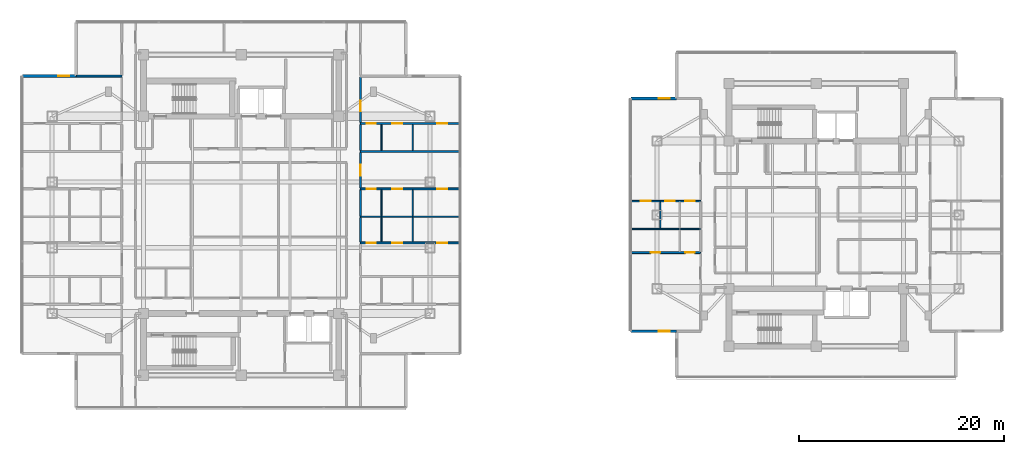
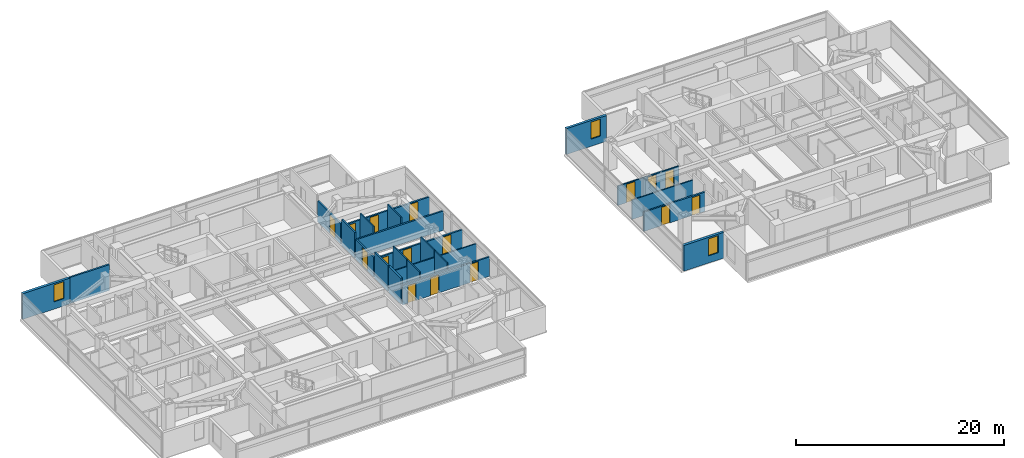
# One storey, part 15 of 25: 24 walls, 16 doors, 3 windows, 19 openings.
"""IFC4 building model written with IfcOpenShell, lengths in metres."""

from ifc_helpers import new_model, si_unit, direction, frame, frame_2d, origin, place, context, subcontext, project, spatial, rectangle, extrude, material, layer, layer_set, type_object, element, fill, save


model = new_model("IFC4")

# Units and contexts
model_context = context("Model", 3, precision=1e-05, world=origin(), true_north=direction((0.0, 1.0)))
body_context = subcontext(model_context, "Body", "Model", "MODEL_VIEW")
ifc_project = project(units=[si_unit("LENGTHUNIT", "METRE"), si_unit("AREAUNIT", "SQUARE_METRE"), si_unit("VOLUMEUNIT", "CUBIC_METRE"), si_unit("PLANEANGLEUNIT", "RADIAN"), si_unit("MASSUNIT", "GRAM", prefix="KILO")], contexts=[model_context])

# Site, building, storey
site_placement = place(None, origin())
site = spatial("IfcSite", under=ifc_project, at=site_placement, CompositionType="ELEMENT")
building_placement = place(site_placement, origin())
building = spatial("IfcBuilding", under=site, at=building_placement, Name="Mirazonda Arch Towers", CompositionType="ELEMENT")
storey_placement = place(building_placement, frame((0.0, 0.0, 173.89990234375)))
storey = spatial("IfcBuildingStorey", under=building, at=storey_placement, Name="L49", CompositionType="ELEMENT", Elevation=173.89990234375)

# Wall, opening, window
ifc_material_1 = material(Name="Precast Concrete C40/50", Category="concrete")
ifc_layer_1 = layer(ifc_material_1, 0.280029296875, Name="WALL-EXT-WALL-280")
ifc_layer_set_1 = layer_set([ifc_layer_1], Name="Precast Concrete C40/50")
wall_type_1 = type_object("IfcWallType", Name="WALL-EXT-WALL-280", PredefinedType="SOLIDWALL", material=ifc_layer_set_1)
wall_1_placement = place(storey_placement, frame((4.43505859375, 41.512939453125, 0.0), z_axis=(0.0, 0.0, 1.0), x_axis=(-1.0, 0.0, 0.0)))
wall_1 = element("IfcWall", 1, at=wall_1_placement, inside=storey, type_object=wall_type_1, Name="L49 T1 Corner Notch Return Wall WL-L49-T1-CNW1", PredefinedType="SOLIDWALL", context=body_context, shape_type="SweptSolid", body=[
    extrude(rectangle(XDim=5.2451171875, YDim=0.280029296875, at=frame_2d((2.62255859375, 0.0))), origin(), (0.0, 0.0, 1.0), 3.030029296875),
])
opening_1_placement = place(wall_1_placement, frame((0.64990234375, 0.0, 0.85009765625)))
opening_1 = element("IfcOpeningElement", 2, at=opening_1_placement, cuts=wall_1, Name="Opening WN-108", PredefinedType="OPENING", context=body_context, shape_type="SweptSolid", body=[
    extrude(rectangle(XDim=1.10009765625, YDim=2.0, at=frame_2d((0.550048828125, 1.0))), frame((0.0, 0.14990234375, 0.0), z_axis=(0.0, -1.0, 0.0), x_axis=(1.0, 0.0, 0.0)), (0.0, 0.0, 1.0), 0.300048828125),
])
ifc_material_2 = material(Name="Insulated Low-E Solar Glass", Category="glass")
window_type = type_object("IfcWindowType", Name="WIN-NOTCH-1100x2000", PartitioningType="SINGLE_PANEL", PredefinedType="WINDOW", material=ifc_material_2)
window_1_placement = place(opening_1_placement, origin())
window_1 = element("IfcWindow", 3, at=window_1_placement, inside=storey, type_object=window_type, Name="L49 Punched Facade Window WN-L49-T1-CNW1", OverallHeight=2.0, OverallWidth=1.10009765625, PartitioningType="SINGLE_PANEL", PredefinedType="WINDOW", context=body_context, shape_type="SweptSolid", body=[
    extrude(rectangle(XDim=1.10009765625, YDim=2.0, at=frame_2d((0.550048828125, 1.0))), frame((0.0, 0.030029296875, 0.0), z_axis=(0.0, -1.0, 0.0), x_axis=(1.0, 0.0, 0.0)), (0.0, 0.0, 1.0), 0.06005859375),
])
fill(opening_1, window_1)

wall_2_placement = place(storey_placement, frame((58.439453125, 16.673828125, 0.0), z_axis=(0.0, 0.0, 1.0), x_axis=(1.0, 0.0, 0.0)))
wall_2 = element("IfcWall", 4, at=wall_2_placement, inside=storey, type_object=wall_type_1, Name="L49 T2 Corner Notch Return Wall WL-L49-T2-CSW2", PredefinedType="SOLIDWALL", context=body_context, shape_type="SweptSolid", body=[
    extrude(rectangle(XDim=4.46533203125, YDim=0.280029296875, at=frame_2d((2.232666015625, 0.0))), origin(), (0.0, 0.0, 1.0), 3.030029296875),
])
opening_2_placement = place(wall_2_placement, frame((2.715087890625, 0.0, 0.85009765625)))
opening_2 = element("IfcOpeningElement", 5, at=opening_2_placement, cuts=wall_2, Name="Opening WN-108", PredefinedType="OPENING", context=body_context, shape_type="SweptSolid", body=[
    extrude(rectangle(XDim=1.10009765625, YDim=2.0, at=frame_2d((0.550048828125, 1.0))), frame((0.0, 0.14990234375, 0.0), z_axis=(0.0, -1.0, 0.0), x_axis=(1.0, 0.0, 0.0)), (0.0, 0.0, 1.0), 0.300048828125),
])
window_2_placement = place(opening_2_placement, origin())
window_2 = element("IfcWindow", 6, at=window_2_placement, inside=storey, type_object=window_type, Name="L49 Punched Facade Window WN-L49-T2-CSW2", OverallHeight=2.0, OverallWidth=1.10009765625, PartitioningType="SINGLE_PANEL", PredefinedType="WINDOW", context=body_context, shape_type="SweptSolid", body=[
    extrude(rectangle(XDim=1.10009765625, YDim=2.0, at=frame_2d((0.550048828125, 1.0))), frame((0.0, 0.030029296875, 0.0), z_axis=(0.0, -1.0, 0.0), x_axis=(1.0, 0.0, 0.0)), (0.0, 0.0, 1.0), 0.06005859375),
])
fill(opening_2, window_2)

wall_3_placement = place(storey_placement, frame((62.90478515625, 39.326171875, 0.0), z_axis=(0.0, 0.0, 1.0), x_axis=(-1.0, 0.0, 0.0)))
wall_3 = element("IfcWall", 7, at=wall_3_placement, inside=storey, type_object=wall_type_1, Name="L49 T2 Corner Notch Return Wall WL-L49-T2-CNW1", PredefinedType="SOLIDWALL", context=body_context, shape_type="SweptSolid", body=[
    extrude(rectangle(XDim=4.46533203125, YDim=0.280029296875, at=frame_2d((2.232666015625, 0.0))), origin(), (0.0, 0.0, 1.0), 3.030029296875),
])
opening_3_placement = place(wall_3_placement, frame((0.64990234375, 0.0, 0.85009765625)))
opening_3 = element("IfcOpeningElement", 8, at=opening_3_placement, cuts=wall_3, Name="Opening WN-108", PredefinedType="OPENING", context=body_context, shape_type="SweptSolid", body=[
    extrude(rectangle(XDim=1.10009765625, YDim=2.0, at=frame_2d((0.550048828125, 1.0))), frame((0.0, 0.14990234375, 0.0), z_axis=(0.0, -1.0, 0.0), x_axis=(1.0, 0.0, 0.0)), (0.0, 0.0, 1.0), 0.300048828125),
])
window_3_placement = place(opening_3_placement, origin())
window_3 = element("IfcWindow", 9, at=window_3_placement, inside=storey, type_object=window_type, Name="L49 Punched Facade Window WN-L49-T2-CNW1", OverallHeight=2.0, OverallWidth=1.10009765625, PartitioningType="SINGLE_PANEL", PredefinedType="WINDOW", context=body_context, shape_type="SweptSolid", body=[
    extrude(rectangle(XDim=1.10009765625, YDim=2.0, at=frame_2d((0.550048828125, 1.0))), frame((0.0, 0.030029296875, 0.0), z_axis=(0.0, -1.0, 0.0), x_axis=(1.0, 0.0, 0.0)), (0.0, 0.0, 1.0), 0.06005859375),
])
fill(opening_3, window_3)

# Wall, openings, doors
ifc_material_3 = material(Name="Fire-Rated Gypsum Stud Partition")
ifc_layer_2 = layer(ifc_material_3, 0.14990234375, Name="WALL-PART-CORR-150")
ifc_layer_set_2 = layer_set([ifc_layer_2], Name="Fire-Rated Gypsum Stud Partition")
wall_type_2 = type_object("IfcWallType", Name="WALL-PART-CORR-150", PredefinedType="PARTITIONING", material=ifc_layer_set_2)
wall_4_placement = place(storey_placement, frame((58.43896484375, 29.35205078125, 0.0), z_axis=(0.0, 0.0, 1.0), x_axis=(1.0, 0.0, 0.0)))
wall_4 = element("IfcWall", 10, at=wall_4_placement, inside=storey, type_object=wall_type_2, Name="L49 Interior Partition 038", PredefinedType="PARTITIONING", context=body_context, shape_type="SweptSolid", body=[
    extrude(rectangle(XDim=6.81103515625, YDim=0.14990234375, at=frame_2d((3.405517578125, 0.0))), origin(), (0.0, 0.0, 1.0), 2.26904296875),
])
opening_4_placement = place(wall_4_placement, frame((0.9765625, 0.0, 0.0)))
opening_4 = element("IfcOpeningElement", 11, at=opening_4_placement, cuts=wall_4, Name="Opening DR-104", PredefinedType="OPENING", context=body_context, shape_type="SweptSolid", body=[
    extrude(rectangle(XDim=0.949951171875, YDim=2.14990234375, at=frame_2d((0.47509765625, 1.074951171875))), frame((0.0, 0.0849609375, 0.0), z_axis=(0.0, -1.0, 0.0), x_axis=(1.0, 0.0, 0.0)), (0.0, 0.0, 1.0), 0.169921875),
])
opening_5_placement = place(wall_4_placement, frame((3.342041015625, 0.0, 0.0)))
opening_5 = element("IfcOpeningElement", 12, at=opening_5_placement, cuts=wall_4, Name="Opening DR-104", PredefinedType="OPENING", context=body_context, shape_type="SweptSolid", body=[
    extrude(rectangle(XDim=0.949951171875, YDim=2.14990234375, at=frame_2d((0.47509765625, 1.074951171875))), frame((0.0, 0.0849609375, 0.0), z_axis=(0.0, -1.0, 0.0), x_axis=(1.0, 0.0, 0.0)), (0.0, 0.0, 1.0), 0.169921875),
])
opening_6_placement = place(wall_4_placement, frame((5.321044921875, 0.0, 0.0)))
opening_6 = element("IfcOpeningElement", 13, at=opening_6_placement, cuts=wall_4, Name="Opening DR-120", PredefinedType="OPENING", context=body_context, shape_type="SweptSolid", body=[
    extrude(rectangle(XDim=0.89990234375, YDim=2.10009765625, at=frame_2d((0.449951171875, 1.050048828125))), frame((0.0, 0.0849609375, 0.0), z_axis=(0.0, -1.0, 0.0), x_axis=(1.0, 0.0, 0.0)), (0.0, 0.0, 1.0), 0.169921875),
])
ifc_material_4 = material(Name="Architectural Brushed Steel S355", Category="steel")
door_type_1 = type_object("IfcDoorType", Name="DOOR-ROOM-950", OperationType="NOTDEFINED", PredefinedType="DOOR", material=ifc_material_4)
door_1_placement = place(opening_4_placement, origin())
door_1 = element("IfcDoor", 14, at=door_1_placement, inside=storey, type_object=door_type_1, Name="L49 Residence 2 Principal Bedroom Door", OperationType="SINGLE_SWING_RIGHT", OverallHeight=2.14990234375, OverallWidth=0.949951171875, PredefinedType="DOOR", context=body_context, shape_type="SweptSolid", body=[
    extrude(rectangle(XDim=0.949951171875, YDim=2.14990234375, at=frame_2d((0.47509765625, 1.074951171875))), frame((0.0, 0.02490234375, 0.0), z_axis=(0.0, -1.0, 0.0), x_axis=(1.0, 0.0, 0.0)), (0.0, 0.0, 1.0), 0.050048828125),
])
fill(opening_4, door_1)
door_2_placement = place(opening_5_placement, origin())
door_2 = element("IfcDoor", 15, at=door_2_placement, inside=storey, type_object=door_type_1, Name="L49 Residence 2 Fitted Kitchen Door", OperationType="SINGLE_SWING_LEFT", OverallHeight=2.14990234375, OverallWidth=0.949951171875, PredefinedType="DOOR", context=body_context, shape_type="SweptSolid", body=[
    extrude(rectangle(XDim=0.949951171875, YDim=2.14990234375, at=frame_2d((0.47509765625, 1.074951171875))), frame((0.0, 0.02490234375, 0.0), z_axis=(0.0, -1.0, 0.0), x_axis=(1.0, 0.0, 0.0)), (0.0, 0.0, 1.0), 0.050048828125),
])
fill(opening_5, door_2)
door_type_2 = type_object("IfcDoorType", Name="DOOR-WC-900", OperationType="NOTDEFINED", PredefinedType="DOOR", material=ifc_material_4)
door_3_placement = place(opening_6_placement, origin())
door_3 = element("IfcDoor", 16, at=door_3_placement, inside=storey, type_object=door_type_2, Name="L49 Residence 2 Bathroom Door", OperationType="SINGLE_SWING_RIGHT", OverallHeight=2.10009765625, OverallWidth=0.89990234375, PredefinedType="DOOR", context=body_context, shape_type="SweptSolid", body=[
    extrude(rectangle(XDim=0.89990234375, YDim=2.10009765625, at=frame_2d((0.449951171875, 1.050048828125))), frame((0.0, 0.02490234375, 0.0), z_axis=(0.0, -1.0, 0.0), x_axis=(1.0, 0.0, 0.0)), (0.0, 0.0, 1.0), 0.050048828125),
])
fill(opening_6, door_3)

ifc_material_5 = material(Name="Fire-Rated Gypsum Twin-Stud Assembly")
ifc_layer_3 = layer(ifc_material_5, 0.179931640625, Name="WALL-PART-DEMISE-180")
ifc_layer_set_3 = layer_set([ifc_layer_3], Name="Fire-Rated Gypsum Twin-Stud Assembly")
wall_type_3 = type_object("IfcWallType", Name="WALL-PART-DEMISE-180", PredefinedType="PARTITIONING", material=ifc_layer_set_3)
wall_5_placement = place(storey_placement, frame((58.43896484375, 24.33203125, 0.0), z_axis=(0.0, 0.0, 1.0), x_axis=(1.0, 0.0, 0.0)))
wall_5 = element("IfcWall", 17, at=wall_5_placement, inside=storey, type_object=wall_type_3, Name="L49 Interior Partition 026", PredefinedType="PARTITIONING", context=body_context, shape_type="SweptSolid", body=[
    extrude(rectangle(XDim=6.81103515625, YDim=0.179931640625, at=frame_2d((3.405517578125, 0.0))), origin(), (0.0, 0.0, 1.0), 2.26904296875),
])
opening_7_placement = place(wall_5_placement, frame((1.930419921875, 0.0, 0.0)))
opening_7 = element("IfcOpeningElement", 18, at=opening_7_placement, cuts=wall_5, Name="Opening DR-104", PredefinedType="OPENING", context=body_context, shape_type="SweptSolid", body=[
    extrude(rectangle(XDim=0.949951171875, YDim=2.14990234375, at=frame_2d((0.47509765625, 1.074951171875))), frame((0.0, 0.099853515625, 0.0), z_axis=(0.0, -1.0, 0.0), x_axis=(1.0, 0.0, 0.0)), (0.0, 0.0, 1.0), 0.199951171875),
])
opening_8_placement = place(wall_5_placement, frame((5.321044921875, 0.0, 0.0)))
opening_8 = element("IfcOpeningElement", 19, at=opening_8_placement, cuts=wall_5, Name="Opening DR-120", PredefinedType="OPENING", context=body_context, shape_type="SweptSolid", body=[
    extrude(rectangle(XDim=0.89990234375, YDim=2.10009765625, at=frame_2d((0.449951171875, 1.050048828125))), frame((0.0, 0.099853515625, 0.0), z_axis=(0.0, -1.0, 0.0), x_axis=(1.0, 0.0, 0.0)), (0.0, 0.0, 1.0), 0.199951171875),
])
door_4_placement = place(opening_7_placement, origin())
door_4 = element("IfcDoor", 20, at=door_4_placement, inside=storey, type_object=door_type_1, Name="L49 Studio 1 Galley Kitchen Door", OperationType="SINGLE_SWING_LEFT", OverallHeight=2.14990234375, OverallWidth=0.949951171875, PredefinedType="DOOR", context=body_context, shape_type="SweptSolid", body=[
    extrude(rectangle(XDim=0.949951171875, YDim=2.14990234375, at=frame_2d((0.47509765625, 1.074951171875))), frame((0.0, 0.02490234375, 0.0), z_axis=(0.0, -1.0, 0.0), x_axis=(1.0, 0.0, 0.0)), (0.0, 0.0, 1.0), 0.050048828125),
])
fill(opening_7, door_4)
door_5_placement = place(opening_8_placement, origin())
door_5 = element("IfcDoor", 21, at=door_5_placement, inside=storey, type_object=door_type_2, Name="L49 Studio 1 Bathroom Door", OperationType="SINGLE_SWING_RIGHT", OverallHeight=2.10009765625, OverallWidth=0.89990234375, PredefinedType="DOOR", context=body_context, shape_type="SweptSolid", body=[
    extrude(rectangle(XDim=0.89990234375, YDim=2.10009765625, at=frame_2d((0.449951171875, 1.050048828125))), frame((0.0, 0.02490234375, 0.0), z_axis=(0.0, -1.0, 0.0), x_axis=(1.0, 0.0, 0.0)), (0.0, 0.0, 1.0), 0.050048828125),
])
fill(opening_8, door_5)

wall_6_placement = place(storey_placement, frame((32.1201171875, 25.27294921875, 0.0), z_axis=(0.0, 0.0, 1.0), x_axis=(1.0, 0.0, 0.0)))
wall_6 = element("IfcWall", 22, at=wall_6_placement, inside=storey, type_object=wall_type_3, Name="L49 Interior Partition 030", PredefinedType="PARTITIONING", context=body_context, shape_type="SweptSolid", body=[
    extrude(rectangle(XDim=9.68994140625, YDim=0.179931640625, at=frame_2d((4.844970703125, 0.0))), origin(), (0.0, 0.0, 1.0), 2.26904296875),
])
opening_9_placement = place(wall_6_placement, frame((7.5, 0.0, 0.0)))
opening_9 = element("IfcOpeningElement", 23, at=opening_9_placement, cuts=wall_6, Name="Opening DR-104", PredefinedType="OPENING", context=body_context, shape_type="SweptSolid", body=[
    extrude(rectangle(XDim=0.949951171875, YDim=2.14990234375, at=frame_2d((0.47509765625, 1.074951171875))), frame((0.0, 0.099853515625, 0.0), z_axis=(0.0, -1.0, 0.0), x_axis=(1.0, 0.0, 0.0)), (0.0, 0.0, 1.0), 0.199951171875),
])
opening_10_placement = place(wall_6_placement, frame((3.094970703125, 0.0, 0.0)))
opening_10 = element("IfcOpeningElement", 24, at=opening_10_placement, cuts=wall_6, Name="Opening DR-104", PredefinedType="OPENING", context=body_context, shape_type="SweptSolid", body=[
    extrude(rectangle(XDim=0.949951171875, YDim=2.14990234375, at=frame_2d((0.47509765625, 1.074951171875))), frame((0.0, 0.099853515625, 0.0), z_axis=(0.0, -1.0, 0.0), x_axis=(1.0, 0.0, 0.0)), (0.0, 0.0, 1.0), 0.199951171875),
])
opening_11_placement = place(wall_6_placement, frame((0.590087890625, 0.0, 0.0)))
opening_11 = element("IfcOpeningElement", 25, at=opening_11_placement, cuts=wall_6, Name="Opening DR-120", PredefinedType="OPENING", context=body_context, shape_type="SweptSolid", body=[
    extrude(rectangle(XDim=0.89990234375, YDim=2.10009765625, at=frame_2d((0.449951171875, 1.050048828125))), frame((0.0, 0.099853515625, 0.0), z_axis=(0.0, -1.0, 0.0), x_axis=(1.0, 0.0, 0.0)), (0.0, 0.0, 1.0), 0.199951171875),
])
door_6_placement = place(opening_9_placement, origin())
door_6 = element("IfcDoor", 26, at=door_6_placement, inside=storey, type_object=door_type_1, Name="L49 Residence 2 Principal Bedroom Door", OperationType="SINGLE_SWING_RIGHT", OverallHeight=2.14990234375, OverallWidth=0.949951171875, PredefinedType="DOOR", context=body_context, shape_type="SweptSolid", body=[
    extrude(rectangle(XDim=0.949951171875, YDim=2.14990234375, at=frame_2d((0.47509765625, 1.074951171875))), frame((0.0, 0.02490234375, 0.0), z_axis=(0.0, -1.0, 0.0), x_axis=(1.0, 0.0, 0.0)), (0.0, 0.0, 1.0), 0.050048828125),
])
fill(opening_9, door_6)
door_7_placement = place(opening_10_placement, origin())
door_7 = element("IfcDoor", 27, at=door_7_placement, inside=storey, type_object=door_type_1, Name="L49 Residence 2 Fitted Kitchen Door", OperationType="SINGLE_SWING_LEFT", OverallHeight=2.14990234375, OverallWidth=0.949951171875, PredefinedType="DOOR", context=body_context, shape_type="SweptSolid", body=[
    extrude(rectangle(XDim=0.949951171875, YDim=2.14990234375, at=frame_2d((0.47509765625, 1.074951171875))), frame((0.0, 0.02490234375, 0.0), z_axis=(0.0, -1.0, 0.0), x_axis=(1.0, 0.0, 0.0)), (0.0, 0.0, 1.0), 0.050048828125),
])
fill(opening_10, door_7)
door_8_placement = place(opening_11_placement, origin())
door_8 = element("IfcDoor", 28, at=door_8_placement, inside=storey, type_object=door_type_2, Name="L49 Residence 2 Bathroom Door", OperationType="SINGLE_SWING_RIGHT", OverallHeight=2.10009765625, OverallWidth=0.89990234375, PredefinedType="DOOR", context=body_context, shape_type="SweptSolid", body=[
    extrude(rectangle(XDim=0.89990234375, YDim=2.10009765625, at=frame_2d((0.449951171875, 1.050048828125))), frame((0.0, 0.02490234375, 0.0), z_axis=(0.0, -1.0, 0.0), x_axis=(1.0, 0.0, 0.0)), (0.0, 0.0, 1.0), 0.050048828125),
])
fill(opening_11, door_8)

wall_7_placement = place(storey_placement, frame((32.1201171875, 30.532958984375, 0.0), z_axis=(0.0, 0.0, 1.0), x_axis=(1.0, 0.0, 0.0)))
wall_7 = element("IfcWall", 29, at=wall_7_placement, inside=storey, type_object=wall_type_3, Name="L49 Interior Partition 041", PredefinedType="PARTITIONING", context=body_context, shape_type="SweptSolid", body=[
    extrude(rectangle(XDim=9.68994140625, YDim=0.179931640625, at=frame_2d((4.844970703125, 0.0))), origin(), (0.0, 0.0, 1.0), 2.26904296875),
])
opening_12_placement = place(wall_7_placement, frame((7.5, 0.0, 0.0)))
opening_12 = element("IfcOpeningElement", 30, at=opening_12_placement, cuts=wall_7, Name="Opening DR-104", PredefinedType="OPENING", context=body_context, shape_type="SweptSolid", body=[
    extrude(rectangle(XDim=0.949951171875, YDim=2.14990234375, at=frame_2d((0.47509765625, 1.074951171875))), frame((0.0, 0.099853515625, 0.0), z_axis=(0.0, -1.0, 0.0), x_axis=(1.0, 0.0, 0.0)), (0.0, 0.0, 1.0), 0.199951171875),
])
opening_13_placement = place(wall_7_placement, frame((3.094970703125, 0.0, 0.0)))
opening_13 = element("IfcOpeningElement", 31, at=opening_13_placement, cuts=wall_7, Name="Opening DR-104", PredefinedType="OPENING", context=body_context, shape_type="SweptSolid", body=[
    extrude(rectangle(XDim=0.949951171875, YDim=2.14990234375, at=frame_2d((0.47509765625, 1.074951171875))), frame((0.0, 0.099853515625, 0.0), z_axis=(0.0, -1.0, 0.0), x_axis=(1.0, 0.0, 0.0)), (0.0, 0.0, 1.0), 0.199951171875),
])
opening_14_placement = place(wall_7_placement, frame((0.590087890625, 0.0, 0.0)))
opening_14 = element("IfcOpeningElement", 32, at=opening_14_placement, cuts=wall_7, Name="Opening DR-120", PredefinedType="OPENING", context=body_context, shape_type="SweptSolid", body=[
    extrude(rectangle(XDim=0.89990234375, YDim=2.10009765625, at=frame_2d((0.449951171875, 1.050048828125))), frame((0.0, 0.099853515625, 0.0), z_axis=(0.0, -1.0, 0.0), x_axis=(1.0, 0.0, 0.0)), (0.0, 0.0, 1.0), 0.199951171875),
])
door_9_placement = place(opening_12_placement, origin())
door_9 = element("IfcDoor", 33, at=door_9_placement, inside=storey, type_object=door_type_1, Name="L49 Residence 3 Principal Bedroom Door", OperationType="SINGLE_SWING_RIGHT", OverallHeight=2.14990234375, OverallWidth=0.949951171875, PredefinedType="DOOR", context=body_context, shape_type="SweptSolid", body=[
    extrude(rectangle(XDim=0.949951171875, YDim=2.14990234375, at=frame_2d((0.47509765625, 1.074951171875))), frame((0.0, 0.02490234375, 0.0), z_axis=(0.0, -1.0, 0.0), x_axis=(1.0, 0.0, 0.0)), (0.0, 0.0, 1.0), 0.050048828125),
])
fill(opening_12, door_9)
door_10_placement = place(opening_13_placement, origin())
door_10 = element("IfcDoor", 34, at=door_10_placement, inside=storey, type_object=door_type_1, Name="L49 Residence 3 Fitted Kitchen Door", OperationType="SINGLE_SWING_LEFT", OverallHeight=2.14990234375, OverallWidth=0.949951171875, PredefinedType="DOOR", context=body_context, shape_type="SweptSolid", body=[
    extrude(rectangle(XDim=0.949951171875, YDim=2.14990234375, at=frame_2d((0.47509765625, 1.074951171875))), frame((0.0, 0.02490234375, 0.0), z_axis=(0.0, -1.0, 0.0), x_axis=(1.0, 0.0, 0.0)), (0.0, 0.0, 1.0), 0.050048828125),
])
fill(opening_13, door_10)
door_11_placement = place(opening_14_placement, origin())
door_11 = element("IfcDoor", 35, at=door_11_placement, inside=storey, type_object=door_type_2, Name="L49 Residence 3 Bathroom Door", OperationType="SINGLE_SWING_RIGHT", OverallHeight=2.10009765625, OverallWidth=0.89990234375, PredefinedType="DOOR", context=body_context, shape_type="SweptSolid", body=[
    extrude(rectangle(XDim=0.89990234375, YDim=2.10009765625, at=frame_2d((0.449951171875, 1.050048828125))), frame((0.0, 0.02490234375, 0.0), z_axis=(0.0, -1.0, 0.0), x_axis=(1.0, 0.0, 0.0)), (0.0, 0.0, 1.0), 0.050048828125),
])
fill(opening_14, door_11)

# Wall
wall_8_placement = place(storey_placement, frame((32.1201171875, 34.179931640625, 0.0), z_axis=(0.0, 0.0, 1.0), x_axis=(1.0, 0.0, 0.0)))
element("IfcWall", 36, at=wall_8_placement, inside=storey, type_object=wall_type_3, Name="L49 Interior Partition 048", PredefinedType="PARTITIONING", context=body_context, shape_type="SweptSolid", body=[
    extrude(rectangle(XDim=9.68994140625, YDim=0.179931640625, at=frame_2d((4.844970703125, 0.0))), origin(), (0.0, 0.0, 1.0), 2.26904296875),
])

# Wall, openings, doors
wall_9_placement = place(storey_placement, frame((32.1201171875, 36.89990234375, 0.0), z_axis=(0.0, 0.0, 1.0), x_axis=(1.0, 0.0, 0.0)))
wall_9 = element("IfcWall", 37, at=wall_9_placement, inside=storey, type_object=wall_type_3, Name="L49 Interior Partition 054", PredefinedType="PARTITIONING", context=body_context, shape_type="SweptSolid", body=[
    extrude(rectangle(XDim=9.68994140625, YDim=0.179931640625, at=frame_2d((4.844970703125, 0.0))), origin(), (0.0, 0.0, 1.0), 2.26904296875),
])
opening_15_placement = place(wall_9_placement, frame((7.5, 0.0, 0.0)))
opening_15 = element("IfcOpeningElement", 38, at=opening_15_placement, cuts=wall_9, Name="Opening DR-104", PredefinedType="OPENING", context=body_context, shape_type="SweptSolid", body=[
    extrude(rectangle(XDim=0.949951171875, YDim=2.14990234375, at=frame_2d((0.47509765625, 1.074951171875))), frame((0.0, 0.099853515625, 0.0), z_axis=(0.0, -1.0, 0.0), x_axis=(1.0, 0.0, 0.0)), (0.0, 0.0, 1.0), 0.199951171875),
])
opening_16_placement = place(wall_9_placement, frame((3.094970703125, 0.0, 0.0)))
opening_16 = element("IfcOpeningElement", 39, at=opening_16_placement, cuts=wall_9, Name="Opening DR-104", PredefinedType="OPENING", context=body_context, shape_type="SweptSolid", body=[
    extrude(rectangle(XDim=0.949951171875, YDim=2.14990234375, at=frame_2d((0.47509765625, 1.074951171875))), frame((0.0, 0.099853515625, 0.0), z_axis=(0.0, -1.0, 0.0), x_axis=(1.0, 0.0, 0.0)), (0.0, 0.0, 1.0), 0.199951171875),
])
opening_17_placement = place(wall_9_placement, frame((0.590087890625, 0.0, 0.0)))
opening_17 = element("IfcOpeningElement", 40, at=opening_17_placement, cuts=wall_9, Name="Opening DR-120", PredefinedType="OPENING", context=body_context, shape_type="SweptSolid", body=[
    extrude(rectangle(XDim=0.89990234375, YDim=2.10009765625, at=frame_2d((0.449951171875, 1.050048828125))), frame((0.0, 0.099853515625, 0.0), z_axis=(0.0, -1.0, 0.0), x_axis=(1.0, 0.0, 0.0)), (0.0, 0.0, 1.0), 0.199951171875),
])
door_12_placement = place(opening_15_placement, origin())
door_12 = element("IfcDoor", 41, at=door_12_placement, inside=storey, type_object=door_type_1, Name="L49 Residence 4 Principal Bedroom Door", OperationType="SINGLE_SWING_RIGHT", OverallHeight=2.14990234375, OverallWidth=0.949951171875, PredefinedType="DOOR", context=body_context, shape_type="SweptSolid", body=[
    extrude(rectangle(XDim=0.949951171875, YDim=2.14990234375, at=frame_2d((0.47509765625, 1.074951171875))), frame((0.0, 0.02490234375, 0.0), z_axis=(0.0, -1.0, 0.0), x_axis=(1.0, 0.0, 0.0)), (0.0, 0.0, 1.0), 0.050048828125),
])
fill(opening_15, door_12)
door_13_placement = place(opening_16_placement, origin())
door_13 = element("IfcDoor", 42, at=door_13_placement, inside=storey, type_object=door_type_1, Name="L49 Residence 4 Fitted Kitchen Door", OperationType="SINGLE_SWING_LEFT", OverallHeight=2.14990234375, OverallWidth=0.949951171875, PredefinedType="DOOR", context=body_context, shape_type="SweptSolid", body=[
    extrude(rectangle(XDim=0.949951171875, YDim=2.14990234375, at=frame_2d((0.47509765625, 1.074951171875))), frame((0.0, 0.02490234375, 0.0), z_axis=(0.0, -1.0, 0.0), x_axis=(1.0, 0.0, 0.0)), (0.0, 0.0, 1.0), 0.050048828125),
])
fill(opening_16, door_13)
door_14_placement = place(opening_17_placement, origin())
door_14 = element("IfcDoor", 43, at=door_14_placement, inside=storey, type_object=door_type_2, Name="L49 Residence 4 Bathroom Door", OperationType="SINGLE_SWING_RIGHT", OverallHeight=2.10009765625, OverallWidth=0.89990234375, PredefinedType="DOOR", context=body_context, shape_type="SweptSolid", body=[
    extrude(rectangle(XDim=0.89990234375, YDim=2.10009765625, at=frame_2d((0.449951171875, 1.050048828125))), frame((0.0, 0.02490234375, 0.0), z_axis=(0.0, -1.0, 0.0), x_axis=(1.0, 0.0, 0.0)), (0.0, 0.0, 1.0), 0.050048828125),
])
fill(opening_17, door_14)

# Walls
wall_10_placement = place(storey_placement, frame((4.455078125, 41.512939453125, 0.0), z_axis=(0.0, 0.0, 1.0), x_axis=(1.0, 0.0, 0.0)))
element("IfcWall", 44, at=wall_10_placement, inside=storey, type_object=wall_type_3, Name="L49 Interior Partition 060", PredefinedType="PARTITIONING", context=body_context, shape_type="SweptSolid", body=[
    extrude(rectangle(XDim=4.4248046875, YDim=0.179931640625, at=frame_2d((2.21240234375, 0.0))), origin(), (0.0, 0.0, 1.0), 3.050048828125),
])
wall_11_placement = place(storey_placement, frame((32.1201171875, 25.373046875, 0.0), z_axis=(0.0, 0.0, 1.0), x_axis=(0.0, 1.0, 0.0)))
element("IfcWall", 45, at=wall_11_placement, inside=storey, type_object=wall_type_3, Name="L49 Interior Partition 121", PredefinedType="PARTITIONING", context=body_context, shape_type="SweptSolid", body=[
    extrude(rectangle(XDim=2.367431640625, YDim=0.179931640625, at=frame_2d((1.18359375, 0.0))), origin(), (0.0, 0.0, 1.0), 3.050048828125),
])
wall_12_placement = place(storey_placement, frame((32.1201171875, 27.885498046875, 0.0), z_axis=(0.0, 0.0, 1.0), x_axis=(0.0, 1.0, 0.0)))
element("IfcWall", 46, at=wall_12_placement, inside=storey, type_object=wall_type_3, Name="L49 Interior Partition 122", PredefinedType="PARTITIONING", context=body_context, shape_type="SweptSolid", body=[
    extrude(rectangle(XDim=2.547607421875, YDim=0.179931640625, at=frame_2d((1.27392578125, 0.0))), origin(), (0.0, 0.0, 1.0), 3.050048828125),
])

# Wall, opening, door
wall_13_placement = place(storey_placement, frame((32.1201171875, 30.633056640625, 0.0), z_axis=(0.0, 0.0, 1.0), x_axis=(0.0, 1.0, 0.0)))
wall_13 = element("IfcWall", 47, at=wall_13_placement, inside=storey, type_object=wall_type_3, Name="L49 Interior Partition 123", PredefinedType="PARTITIONING", context=body_context, shape_type="SweptSolid", body=[
    extrude(rectangle(XDim=3.447021484375, YDim=0.179931640625, at=frame_2d((1.7236328125, 0.0))), origin(), (0.0, 0.0, 1.0), 2.34619140625),
])
opening_18_placement = place(wall_13_placement, frame((1.198486328125, 0.0, 0.0)))
opening_18 = element("IfcOpeningElement", 48, at=opening_18_placement, cuts=wall_13, Name="Opening DR-121", PredefinedType="OPENING", context=body_context, shape_type="SweptSolid", body=[
    extrude(rectangle(XDim=1.050048828125, YDim=2.199951171875, at=frame_2d((0.52490234375, 1.10009765625))), frame((0.0, 0.099853515625, 0.0), z_axis=(0.0, -1.0, 0.0), x_axis=(1.0, 0.0, 0.0)), (0.0, 0.0, 1.0), 0.199951171875),
])
door_type_3 = type_object("IfcDoorType", Name="DOOR-SUITE-FD60-1050", OperationType="NOTDEFINED", PredefinedType="DOOR", material=ifc_material_4)
door_15_placement = place(opening_18_placement, origin())
door_15 = element("IfcDoor", 49, at=door_15_placement, inside=storey, type_object=door_type_3, Name="L49 Residence 3 Living & Dining Salon Door", OperationType="SINGLE_SWING_LEFT", OverallHeight=2.199951171875, OverallWidth=1.050048828125, PredefinedType="DOOR", context=body_context, shape_type="SweptSolid", body=[
    extrude(rectangle(XDim=1.050048828125, YDim=2.199951171875, at=frame_2d((0.52490234375, 1.10009765625))), frame((0.0, 0.02490234375, 0.0), z_axis=(0.0, -1.0, 0.0), x_axis=(1.0, 0.0, 0.0)), (0.0, 0.0, 1.0), 0.050048828125),
])
fill(opening_18, door_15)

# Wall
wall_14_placement = place(storey_placement, frame((32.1201171875, 34.280029296875, 0.0), z_axis=(0.0, 0.0, 1.0), x_axis=(0.0, 1.0, 0.0)))
element("IfcWall", 50, at=wall_14_placement, inside=storey, type_object=wall_type_3, Name="L49 Interior Partition 124", PredefinedType="PARTITIONING", context=body_context, shape_type="SweptSolid", body=[
    extrude(rectangle(XDim=2.52001953125, YDim=0.179931640625, at=frame_2d((1.260009765625, 0.0))), origin(), (0.0, 0.0, 1.0), 3.050048828125),
])

# Wall, opening, door
wall_15_placement = place(storey_placement, frame((32.1201171875, 37.0, 0.0), z_axis=(0.0, 0.0, 1.0), x_axis=(0.0, 1.0, 0.0)))
wall_15 = element("IfcWall", 51, at=wall_15_placement, inside=storey, type_object=wall_type_3, Name="L49 Interior Partition 125", PredefinedType="PARTITIONING", context=body_context, shape_type="SweptSolid", body=[
    extrude(rectangle(XDim=4.4130859375, YDim=0.179931640625, at=frame_2d((2.20654296875, 0.0))), origin(), (0.0, 0.0, 1.0), 2.442138671875),
])
opening_19_placement = place(wall_15_placement, frame((1.08154296875, 0.0, 0.0)))
opening_19 = element("IfcOpeningElement", 52, at=opening_19_placement, cuts=wall_15, Name="Opening DR-121", PredefinedType="OPENING", context=body_context, shape_type="SweptSolid", body=[
    extrude(rectangle(XDim=1.050048828125, YDim=2.199951171875, at=frame_2d((0.52490234375, 1.10009765625))), frame((0.0, 0.099853515625, 0.0), z_axis=(0.0, -1.0, 0.0), x_axis=(1.0, 0.0, 0.0)), (0.0, 0.0, 1.0), 0.199951171875),
])
door_16_placement = place(opening_19_placement, origin())
door_16 = element("IfcDoor", 53, at=door_16_placement, inside=storey, type_object=door_type_3, Name="L49 Residence 4 Living & Dining Salon Door", OperationType="SINGLE_SWING_LEFT", OverallHeight=2.199951171875, OverallWidth=1.050048828125, PredefinedType="DOOR", context=body_context, shape_type="SweptSolid", body=[
    extrude(rectangle(XDim=1.050048828125, YDim=2.199951171875, at=frame_2d((0.52490234375, 1.10009765625))), frame((0.0, 0.02490234375, 0.0), z_axis=(0.0, -1.0, 0.0), x_axis=(1.0, 0.0, 0.0)), (0.0, 0.0, 1.0), 0.050048828125),
])
fill(opening_19, door_16)

# Walls
ifc_material_6 = material(Name="Acoustic Fire-Rated Gypsum Partition")
ifc_layer_4 = layer(ifc_material_6, 0.125, Name="WALL-PART-UNIT-125")
ifc_layer_set_4 = layer_set([ifc_layer_4], Name="Acoustic Fire-Rated Gypsum Partition")
wall_type_4 = type_object("IfcWallType", Name="WALL-PART-UNIT-125", PredefinedType="PARTITIONING", material=ifc_layer_set_4)
wall_16_placement = place(storey_placement, frame((58.43896484375, 26.632080078125, 0.0), z_axis=(0.0, 0.0, 1.0), x_axis=(1.0, 0.0, 0.0)))
element("IfcWall", 54, at=wall_16_placement, inside=storey, type_object=wall_type_4, Name="L49 Interior Partition 033", PredefinedType="PARTITIONING", context=body_context, shape_type="SweptSolid", body=[
    extrude(rectangle(XDim=6.81103515625, YDim=0.125, at=frame_2d((3.405517578125, 0.0))), origin(), (0.0, 0.0, 1.0), 2.26904296875),
])
wall_17_placement = place(storey_placement, frame((32.1201171875, 27.81298828125, 0.0), z_axis=(0.0, 0.0, 1.0), x_axis=(1.0, 0.0, 0.0)))
element("IfcWall", 55, at=wall_17_placement, inside=storey, type_object=wall_type_4, Name="L49 Interior Partition 037", PredefinedType="PARTITIONING", context=body_context, shape_type="SweptSolid", body=[
    extrude(rectangle(XDim=9.68994140625, YDim=0.125, at=frame_2d((4.844970703125, 0.0))), origin(), (0.0, 0.0, 1.0), 2.26904296875),
])
wall_18_placement = place(storey_placement, frame((34.159912109375, 25.373046875, 0.0), z_axis=(0.0, 0.0, 1.0), x_axis=(0.0, 1.0, 0.0)))
element("IfcWall", 56, at=wall_18_placement, inside=storey, type_object=wall_type_4, Name="L49 Interior Partition 128", PredefinedType="PARTITIONING", context=body_context, shape_type="SweptSolid", body=[
    extrude(rectangle(XDim=2.367431640625, YDim=0.125, at=frame_2d((1.18359375, 0.0))), origin(), (0.0, 0.0, 1.0), 3.050048828125),
])
wall_19_placement = place(storey_placement, frame((34.159912109375, 27.885498046875, 0.0), z_axis=(0.0, 0.0, 1.0), x_axis=(0.0, 1.0, 0.0)))
element("IfcWall", 57, at=wall_19_placement, inside=storey, type_object=wall_type_4, Name="L49 Interior Partition 129", PredefinedType="PARTITIONING", context=body_context, shape_type="SweptSolid", body=[
    extrude(rectangle(XDim=2.547607421875, YDim=0.125, at=frame_2d((1.27392578125, 0.0))), origin(), (0.0, 0.0, 1.0), 3.050048828125),
])
wall_20_placement = place(storey_placement, frame((34.159912109375, 34.280029296875, 0.0), z_axis=(0.0, 0.0, 1.0), x_axis=(0.0, 1.0, 0.0)))
element("IfcWall", 58, at=wall_20_placement, inside=storey, type_object=wall_type_4, Name="L49 Interior Partition 130", PredefinedType="PARTITIONING", context=body_context, shape_type="SweptSolid", body=[
    extrude(rectangle(XDim=2.52001953125, YDim=0.125, at=frame_2d((1.260009765625, 0.0))), origin(), (0.0, 0.0, 1.0), 3.050048828125),
])
wall_21_placement = place(storey_placement, frame((37.219970703125, 25.373046875, 0.0), z_axis=(0.0, 0.0, 1.0), x_axis=(0.0, 1.0, 0.0)))
element("IfcWall", 59, at=wall_21_placement, inside=storey, type_object=wall_type_4, Name="L49 Interior Partition 132", PredefinedType="PARTITIONING", context=body_context, shape_type="SweptSolid", body=[
    extrude(rectangle(XDim=2.367431640625, YDim=0.125, at=frame_2d((1.18359375, 0.0))), origin(), (0.0, 0.0, 1.0), 3.050048828125),
])
wall_22_placement = place(storey_placement, frame((37.219970703125, 27.885498046875, 0.0), z_axis=(0.0, 0.0, 1.0), x_axis=(0.0, 1.0, 0.0)))
element("IfcWall", 60, at=wall_22_placement, inside=storey, type_object=wall_type_4, Name="L49 Interior Partition 133", PredefinedType="PARTITIONING", context=body_context, shape_type="SweptSolid", body=[
    extrude(rectangle(XDim=2.547607421875, YDim=0.125, at=frame_2d((1.27392578125, 0.0))), origin(), (0.0, 0.0, 1.0), 3.050048828125),
])
wall_23_placement = place(storey_placement, frame((37.219970703125, 34.280029296875, 0.0), z_axis=(0.0, 0.0, 1.0), x_axis=(0.0, 1.0, 0.0)))
element("IfcWall", 61, at=wall_23_placement, inside=storey, type_object=wall_type_4, Name="L49 Interior Partition 134", PredefinedType="PARTITIONING", context=body_context, shape_type="SweptSolid", body=[
    extrude(rectangle(XDim=2.52001953125, YDim=0.125, at=frame_2d((1.260009765625, 0.0))), origin(), (0.0, 0.0, 1.0), 3.050048828125),
])
wall_24_placement = place(storey_placement, frame((61.302001953125, 26.70458984375, 0.0), z_axis=(0.0, 0.0, 1.0), x_axis=(0.0, 1.0, 0.0)))
element("IfcWall", 62, at=wall_24_placement, inside=storey, type_object=wall_type_4, Name="L49 Interior Partition 135", PredefinedType="PARTITIONING", context=body_context, shape_type="SweptSolid", body=[
    extrude(rectangle(XDim=2.5625, YDim=0.125, at=frame_2d((1.28125, 0.0))), origin(), (0.0, 0.0, 1.0), 2.34619140625),
])

save(model, "model.ifc")
